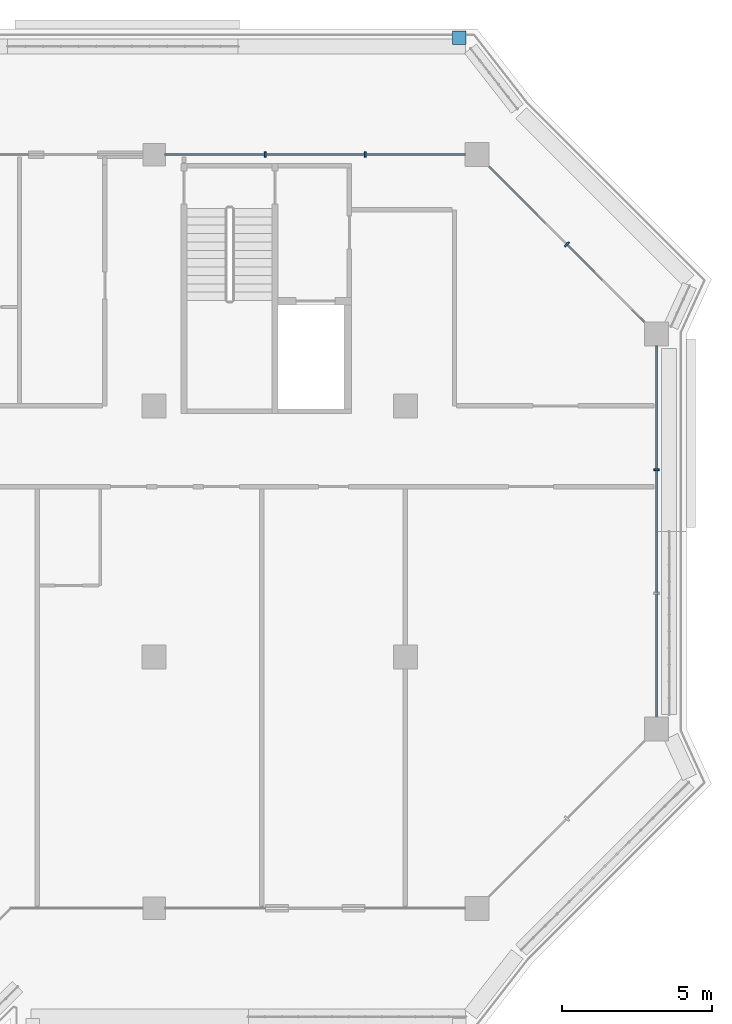
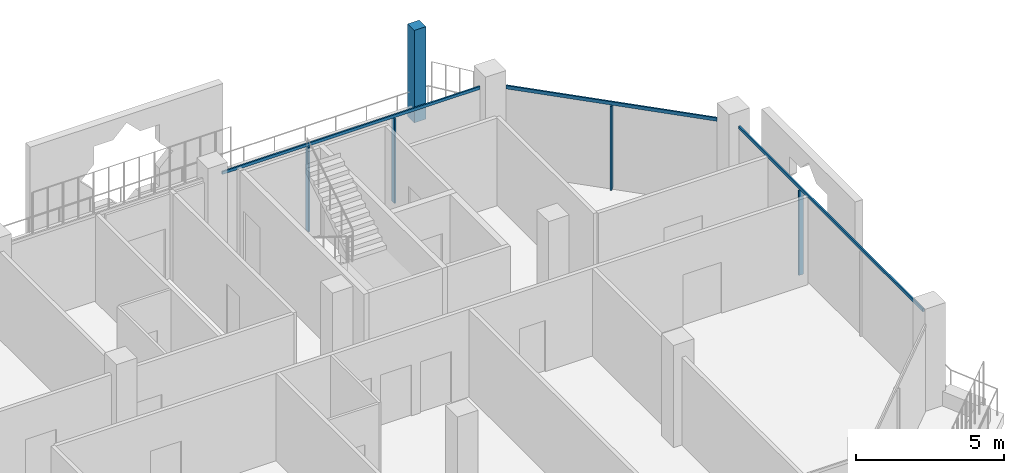
# One storey, part 8 of 21: 8 members, 4 elements without a shape of their own.
"""IFC4 building model written with IfcOpenShell, lengths in metres."""

from ifc_helpers import new_model, si_unit, direction, frame, origin, origin_2d, place, context, subcontext, project, spatial, rectangle, extrude, material, layer, layer_set, material_profile, profile_set, type_object, element, aggregate, save


model = new_model("IFC4")

# Units and contexts
model_context = context("Model", 3, precision=1e-05, world=origin(), true_north=direction((0.0, 1.0)))
body_context = subcontext(model_context, "Body", "Model", "MODEL_VIEW")
ifc_project = project(units=[si_unit("LENGTHUNIT", "METRE"), si_unit("AREAUNIT", "SQUARE_METRE"), si_unit("VOLUMEUNIT", "CUBIC_METRE"), si_unit("PLANEANGLEUNIT", "RADIAN"), si_unit("MASSUNIT", "GRAM", prefix="KILO")], contexts=[model_context])

# Site, building, storey
site_placement = place(None, origin())
site = spatial("IfcSite", under=ifc_project, at=site_placement, CompositionType="ELEMENT")
building_placement = place(site_placement, origin())
building = spatial("IfcBuilding", under=site, at=building_placement, Name="Kawkab Arch Medical Tower", CompositionType="ELEMENT")
storey_placement = place(building_placement, frame((0.0, 0.0, 323.800048828125)))
storey = spatial("IfcBuildingStorey", under=building, at=storey_placement, Name="L75", CompositionType="ELEMENT", Elevation=323.800048828125)

# Curtain wall, member
ifc_material_1 = material(Name="Bronze anodised aluminium curtain wall frame", Category="aluminium")
ifc_layer_1 = layer(ifc_material_1, 0.159912109375)
ifc_layer_set_1 = layer_set([ifc_layer_1], Name="Bronze anodised aluminium curtain wall frame")
curtain_wall_type_1 = type_object("IfcCurtainWallType", Name="CW1 ward curtain wall", PredefinedType="NOTDEFINED", material=ifc_layer_set_1)
placement = place(storey_placement, origin())
curtain_wall_1 = element("IfcCurtainWall", 1, at=placement, inside=storey, type_object=curtain_wall_type_1, Name="CW1 Ward curtain wall R13", PredefinedType="NOTDEFINED")
ifc_material_2 = material(Name="Bronze anodised aluminium curtain wall frame", Category="aluminium")
ifc_material_profile_1 = material_profile(ifc_material_2, rectangle(XDim=0.179931640625, YDim=0.06005859375, at=origin_2d()), Name="AL 60x180")
ifc_profile_set_1 = profile_set([ifc_material_profile_1], Name="Bronze anodised aluminium curtain wall frame")
member_type_1 = type_object("IfcMemberType", Name="CW1 mullion 60 x 180", PredefinedType="MULLION", material=ifc_profile_set_1)
member_1_placement = place(storey_placement, frame((58.800048828125, -10.533447265625, 0.0), z_axis=(0.0, 0.0, 1.0), x_axis=(-1.0, 0.0, 0.0)))
member_1 = element("IfcMember", 2, at=member_1_placement, type_object=member_type_1, Name="CW1 mullion 1.2", PredefinedType="MULLION", context=body_context, shape_type="SweptSolid", body=[
    extrude(rectangle(XDim=0.179931640625, YDim=0.06005859375, at=origin_2d()), origin(), (0.0, 0.0, 1.0), 3.47998046875),
])

# Curtain wall, members
curtain_wall_2 = element("IfcCurtainWall", 3, at=placement, inside=storey, type_object=curtain_wall_type_1, Name="CW1 Ward curtain wall R15", PredefinedType="NOTDEFINED")
member_2_placement = place(storey_placement, frame((49.058349609375, 0.0, 0.0), z_axis=(0.0, 0.0, 1.0), x_axis=(0.0, -1.0, 0.0)))
member_2 = element("IfcMember", 4, at=member_2_placement, type_object=member_type_1, Name="CW1 mullion 1.1", PredefinedType="MULLION", context=body_context, shape_type="SweptSolid", body=[
    extrude(rectangle(XDim=0.179931640625, YDim=0.06005859375, at=origin_2d()), origin(), (0.0, 0.0, 1.0), 3.47998046875),
])
member_3_placement = place(storey_placement, frame((45.716552734375, 0.0, 0.0), z_axis=(0.0, 0.0, 1.0), x_axis=(0.0, -1.0, 0.0)))
member_3 = element("IfcMember", 5, at=member_3_placement, type_object=member_type_1, Name="CW1 mullion 1.2", PredefinedType="MULLION", context=body_context, shape_type="SweptSolid", body=[
    extrude(rectangle(XDim=0.179931640625, YDim=0.06005859375, at=origin_2d()), origin(), (0.0, 0.0, 1.0), 3.47998046875),
])

# Member
ifc_material_3 = material(Name="Bronze anodised aluminium curtain wall frame", Category="aluminium")
ifc_material_profile_2 = material_profile(ifc_material_3, rectangle(XDim=0.06005859375, YDim=0.1201171875, at=origin_2d()), Name="AL 60x120")
ifc_profile_set_2 = profile_set([ifc_material_profile_2], Name="Bronze anodised aluminium curtain wall frame")
member_type_2 = type_object("IfcMemberType", Name="CW1 transom 120 x 60", PredefinedType="USERDEFINED", material=ifc_profile_set_2)
member_4_placement = place(storey_placement, frame((58.800048828125, -18.800048828125, 3.5400390625), z_axis=(0.0, 1.0, 0.0), x_axis=(-1.0, 0.0, 0.0)))
member_4 = element("IfcMember", 6, at=member_4_placement, type_object=member_type_2, Name="CW1 transom 1", ObjectType="TRANSOM", PredefinedType="USERDEFINED", context=body_context, shape_type="SweptSolid", body=[
    extrude(rectangle(XDim=0.06005859375, YDim=0.1201171875, at=origin_2d()), origin(), (0.0, 0.0, 1.0), 12.400146484375),
])

aggregate(curtain_wall_1, [member_4, member_1])

member_5_placement = place(storey_placement, frame((52.39990234375, 0.0, 3.5400390625), z_axis=(-1.0, 0.0, 0.0), x_axis=(0.0, -1.0, 0.0)))
member_5 = element("IfcMember", 7, at=member_5_placement, type_object=member_type_2, Name="CW1 transom 1", ObjectType="TRANSOM", PredefinedType="USERDEFINED", context=body_context, shape_type="SweptSolid", body=[
    extrude(rectangle(XDim=0.06005859375, YDim=0.1201171875, at=origin_2d()), origin(), (0.0, 0.0, 1.0), 10.02490234375),
])

aggregate(curtain_wall_2, [member_5, member_2, member_3])

# Curtain wall, members
ifc_material_4 = material(Name="Bronze anodised aluminium curtain wall frame", Category="aluminium")
ifc_layer_2 = layer(ifc_material_4, 0.159912109375)
ifc_layer_set_2 = layer_set([ifc_layer_2], Name="Bronze anodised aluminium curtain wall frame")
curtain_wall_type_2 = type_object("IfcCurtainWallType", Name="CW2 chamfer curtain wall", PredefinedType="NOTDEFINED", material=ifc_layer_set_2)
curtain_wall_3 = element("IfcCurtainWall", 8, at=placement, inside=storey, type_object=curtain_wall_type_2, Name="CW2 Chamfer curtain wall R14", PredefinedType="NOTDEFINED")
ifc_material_5 = material(Name="Bronze anodised aluminium curtain wall frame", Category="aluminium")
ifc_material_profile_3 = material_profile(ifc_material_5, rectangle(XDim=0.199951171875, YDim=0.06005859375, at=origin_2d()), Name="AL 60x200")
ifc_profile_set_3 = profile_set([ifc_material_profile_3], Name="Bronze anodised aluminium curtain wall frame")
member_type_3 = type_object("IfcMemberType", Name="CW2 mullion 60 x 200", PredefinedType="MULLION", material=ifc_profile_set_3)
member_6_placement = place(storey_placement, frame((55.800048828125, -3.0, 0.0), z_axis=(0.0, 0.0, 1.0), x_axis=(-0.707106781187, -0.707106781187, 0.0)))
member_6 = element("IfcMember", 9, at=member_6_placement, type_object=member_type_3, Name="CW2 mullion 1.1", PredefinedType="MULLION", context=body_context, shape_type="SweptSolid", body=[
    extrude(rectangle(XDim=0.199951171875, YDim=0.06005859375, at=origin_2d()), origin(), (0.0, 0.0, 1.0), 3.4599609375),
])
ifc_material_6 = material(Name="Bronze anodised aluminium curtain wall frame", Category="aluminium")
ifc_material_profile_4 = material_profile(ifc_material_6, rectangle(XDim=0.06005859375, YDim=0.139892578125, at=origin_2d()), Name="AL 60x140")
ifc_profile_set_4 = profile_set([ifc_material_profile_4], Name="Bronze anodised aluminium curtain wall frame")
member_type_4 = type_object("IfcMemberType", Name="CW2 transom 140 x 60", PredefinedType="USERDEFINED", material=ifc_profile_set_4)
member_7_placement = place(storey_placement, frame((58.39990234375, -5.60009765625, 3.530029296875), z_axis=(-0.707090181851, 0.707123380132, 0.0), x_axis=(-0.707123380132, -0.707090181851, 0.0)))
member_7 = element("IfcMember", 10, at=member_7_placement, type_object=member_type_4, Name="CW2 transom 1", ObjectType="TRANSOM", PredefinedType="USERDEFINED", context=body_context, shape_type="SweptSolid", body=[
    extrude(rectangle(XDim=0.06005859375, YDim=0.139892578125, at=origin_2d()), origin(), (0.0, 0.0, 1.0), 7.35400390625),
])
aggregate(curtain_wall_3, [member_7, member_6])

# Curtain wall, member
ifc_material_7 = material(Name="Bronze anodised aluminium climber frame, planted", Category="aluminium")
ifc_layer_3 = layer(ifc_material_7, 0.449951171875)
ifc_layer_set_3 = layer_set([ifc_layer_3], Name="Bronze anodised aluminium climber frame, planted")
curtain_wall_type_3 = type_object("IfcCurtainWallType", Name="Planted climber frame", PredefinedType="NOTDEFINED", material=ifc_layer_set_3)
curtain_wall_4 = element("IfcCurtainWall", 11, at=placement, inside=storey, type_object=curtain_wall_type_3, Name="Planted climber frame L75", PredefinedType="NOTDEFINED")
ifc_material_8 = material(Name="Bronze anodised aluminium climber frame, planted", Category="aluminium")
ifc_material_profile_5 = material_profile(ifc_material_8, rectangle(XDim=0.449951171875, YDim=0.449951171875, at=origin_2d()), Name="Post 450x450")
ifc_profile_set_5 = profile_set([ifc_material_profile_5], Name="Bronze anodised aluminium climber frame, planted")
member_type_5 = type_object("IfcMemberType", Name="Planted climber post 450 x 450", PredefinedType="MULLION", material=ifc_profile_set_5)
member_8_placement = place(storey_placement, frame((52.202880859375, 3.89990234375, 0.0), z_axis=(0.0, 0.0, 1.0), x_axis=(1.0, 0.0, 0.0)))
member_8 = element("IfcMember", 12, at=member_8_placement, type_object=member_type_5, Name="Planted climber post L75.LOG-01-01.4", PredefinedType="MULLION", context=body_context, shape_type="SweptSolid", body=[
    extrude(rectangle(XDim=0.449951171875, YDim=0.449951171875, at=origin_2d()), origin(), (0.0, 0.0, 1.0), 3.800048828125),
])
aggregate(curtain_wall_4, [member_8])

save(model, "model.ifc")
